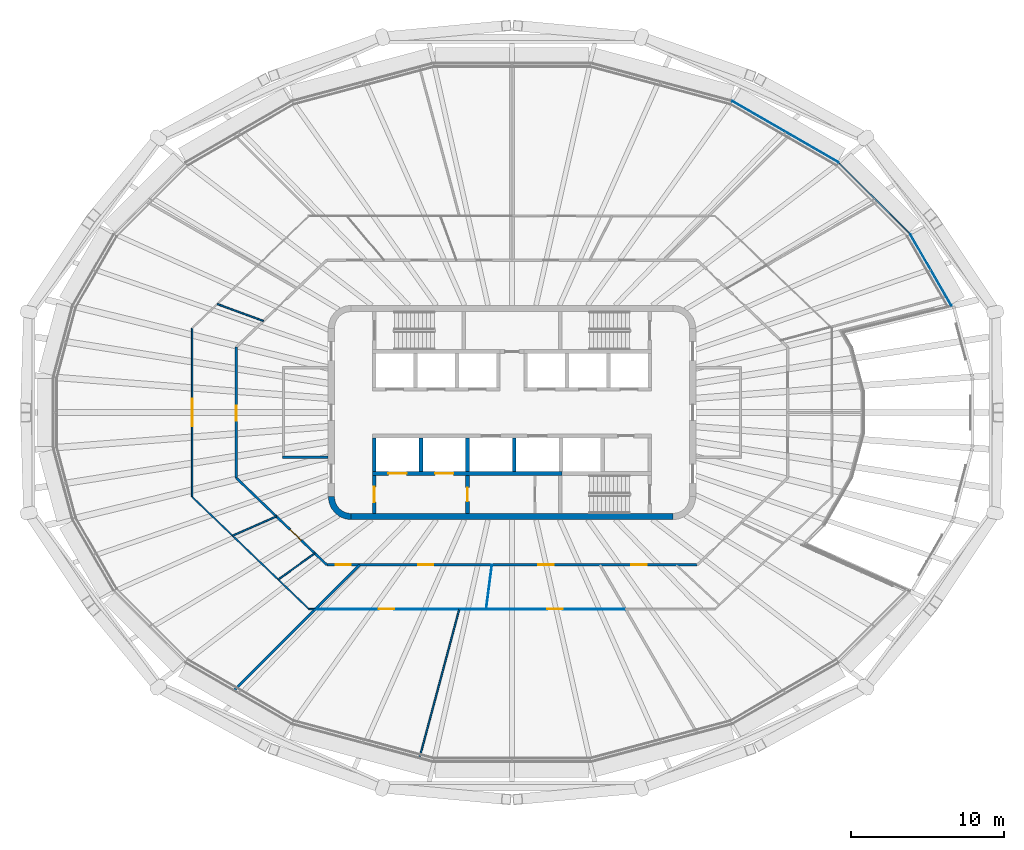
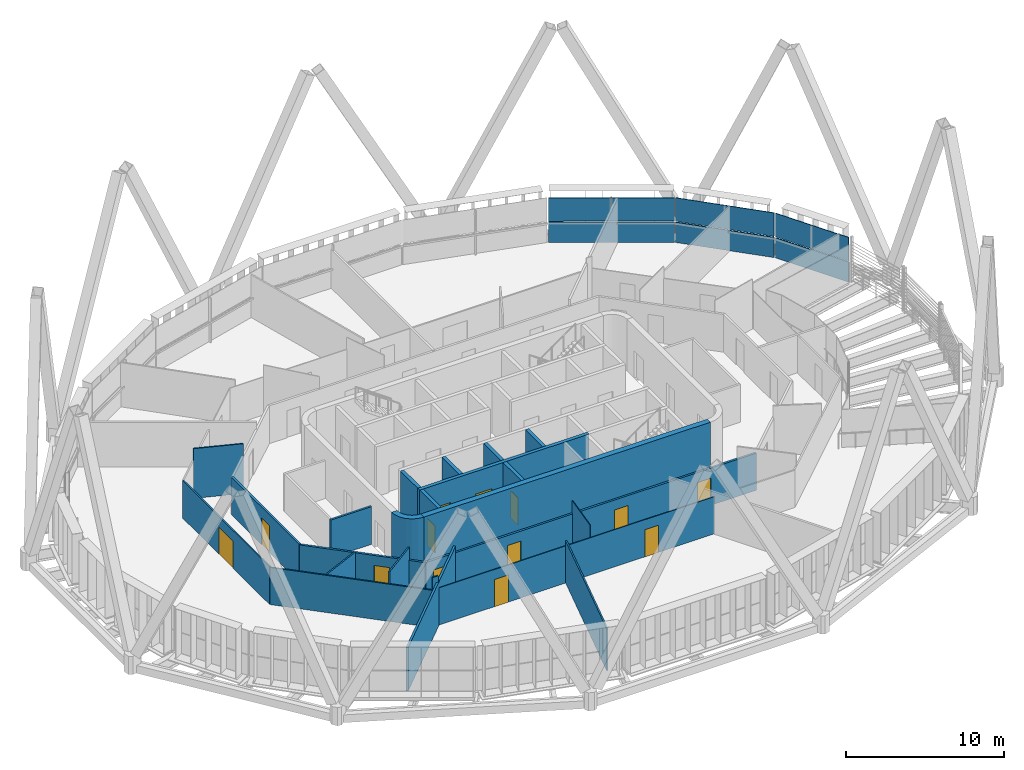
# One storey, part 10 of 20: 23 walls, 13 doors, 6 plates, 13 openings, 3 elements without a shape of their own.
"""IFC4 building model written with IfcOpenShell, lengths in metres."""

import ifcopenshell
import ifcopenshell.guid

model = None  # the IFC model being written
_history = None  # IfcOwnerHistory: only IFC2X3 demands one
_inside = {}  # id of a spatial element -> (the spatial element, [elements in it])
_under = {}  # id of a project, library or spatial element -> (it, [spatial elements below it])
_declared = {}  # id of a project -> (the project, [libraries it declares])
_typed = {}  # id of a type object -> (the type object, [elements of that type])
_made_of = {}  # id of a material, layer set ... -> (it, [elements and type objects made of it])


def new_model(schema):
    """Start an empty IFC model of exactly this schema.

    Asked for "IFC4X3", IfcOpenShell would pick the latest addendum, in which some entities
    have other attributes; the version numbers below select the first issue.
    IFC2X3 requires an IfcOwnerHistory on every rooted entity: one is made here for all.
    """
    global model, _history
    if schema == "IFC4X3":
        model = ifcopenshell.file(schema_version=(4, 3, 0, 0))
    else:
        model = ifcopenshell.file(schema=schema)
    _inside.clear()
    _under.clear()
    _declared.clear()
    _typed.clear()
    _made_of.clear()
    _history = None
    if model.schema == "IFC2X3":
        org = make("IfcOrganization", Name="unknown")
        user = make(
            "IfcPersonAndOrganization",
            ThePerson=make("IfcPerson", FamilyName="unknown"),
            TheOrganization=org,
        )
        app = make(
            "IfcApplication",
            ApplicationDeveloper=org,
            Version="unknown",
            ApplicationFullName="unknown",
            ApplicationIdentifier="unknown",
        )
        _history = make(
            "IfcOwnerHistory",
            OwningUser=user,
            OwningApplication=app,
            ChangeAction="ADDED",
            CreationDate=0,
        )
    return model


def make(cls, **values):
    """One entity of the class cls with the attributes given. An attribute that is None is left unset."""
    return model.create_entity(
        cls, **{name: value for name, value in values.items() if value is not None}
    )


def rooted(cls, **values):
    """An entity with a GlobalId (a new one), such as an element, a storey or a relation."""
    return make(cls, GlobalId=ifcopenshell.guid.new(), OwnerHistory=_history, **values)


def si_unit(unit_type, name, prefix=None):
    """IfcSIUnit, for example si_unit("LENGTHUNIT", "METRE", prefix="MILLI")."""
    return make("IfcSIUnit", UnitType=unit_type, Prefix=prefix, Name=name)


def assignment(units):
    """IfcUnitAssignment: the units of a project."""
    return None if units is None else make("IfcUnitAssignment", Units=units)


def point(xyz):
    """IfcCartesianPoint."""
    return None if xyz is None else make("IfcCartesianPoint", Coordinates=xyz)


def direction(xyz):
    """IfcDirection."""
    return None if xyz is None else make("IfcDirection", DirectionRatios=xyz)


def frame(location, z_axis=None, x_axis=None):
    """IfcAxis2Placement3D, a coordinate frame: its origin and axes. An axis left out is left unset."""
    return make(
        "IfcAxis2Placement3D",
        Location=point(location),
        Axis=direction(z_axis),
        RefDirection=direction(x_axis),
    )


def frame_2d(location, x_axis=None):
    """IfcAxis2Placement2D, a coordinate frame in the plane: its origin and x axis."""
    return make(
        "IfcAxis2Placement2D", Location=point(location), RefDirection=direction(x_axis)
    )


def origin():
    """The frame at (0, 0, 0) with its axes left unset."""
    return frame((0.0, 0.0, 0.0))


def place(relative_to, where):
    """IfcLocalPlacement: puts the frame where relative to a parent placement (None: the world)."""
    return make(
        "IfcLocalPlacement", PlacementRelTo=relative_to, RelativePlacement=where
    )


def context(
    kind, dimensions, precision=None, world=None, true_north=None, identifier=None
):
    """IfcGeometricRepresentationContext, for example the 3D "Model" context."""
    return make(
        "IfcGeometricRepresentationContext",
        ContextIdentifier=identifier,
        ContextType=kind,
        CoordinateSpaceDimension=dimensions,
        Precision=precision,
        WorldCoordinateSystem=world,
        TrueNorth=true_north,
    )


def subcontext(parent, identifier, kind, view, scale=None):
    """IfcGeometricRepresentationSubContext, for example "Body" below "Model"."""
    return make(
        "IfcGeometricRepresentationSubContext",
        ContextIdentifier=identifier,
        ContextType=kind,
        ParentContext=parent,
        TargetScale=scale,
        TargetView=view,
    )


def project(units=None, contexts=None):
    """IfcProject with its units and contexts."""
    return rooted(
        "IfcProject",
        Name="project",
        RepresentationContexts=contexts,
        UnitsInContext=assignment(units),
    )


def spatial(cls, under=None, at=None, **own):
    """A site, building, storey or space (cls), placed at a placement, below another one or the project."""
    s = rooted(cls, ObjectPlacement=at, **own)
    if under is not None:
        _under.setdefault(under.id(), (under, []))[1].append(s)
    return s


def polyline(points):
    """IfcPolyline through the points."""
    return make("IfcPolyline", Points=[point(p) for p in points])


def profile(cls, at=None, kind="AREA", **sizes):
    """A parametric profile (cls). Its sizes go by their IFC names, for example OverallWidth=200.0."""
    return make(cls, ProfileType=kind, Position=at, **sizes)


def rectangle(**sizes):
    """IfcRectangleProfileDef."""
    return profile("IfcRectangleProfileDef", **sizes)


def outline(outer, holes=None, kind="AREA"):
    """IfcArbitraryClosedProfileDef: a profile drawn as a closed curve; with holes, ...WithVoids."""
    if holes is None:
        return make("IfcArbitraryClosedProfileDef", ProfileType=kind, OuterCurve=outer)
    return make(
        "IfcArbitraryProfileDefWithVoids",
        ProfileType=kind,
        OuterCurve=outer,
        InnerCurves=holes,
    )


def extrude(swept, where, along, depth):
    """IfcExtrudedAreaSolid: the profile swept, set in the frame where, extruded along a direction by depth."""
    return make(
        "IfcExtrudedAreaSolid",
        SweptArea=swept,
        Position=where,
        ExtrudedDirection=direction(along),
        Depth=depth,
    )


def shape(context_of_items, identifier, shape_type, items):
    """IfcShapeRepresentation: the items that make up one representation, for example the "Body"."""
    return make(
        "IfcShapeRepresentation",
        ContextOfItems=context_of_items,
        RepresentationIdentifier=identifier,
        RepresentationType=shape_type,
        Items=items,
    )


def material(Name=None, Category=None):
    """IfcMaterial."""
    return make("IfcMaterial", Name=Name, Category=Category)


def layer(
    of_material, thickness, ventilated=None, Name=None, Category=None, Priority=None
):
    """IfcMaterialLayer: one layer of a wall or slab, of a material (None: an air gap)."""
    return make(
        "IfcMaterialLayer",
        Material=of_material,
        LayerThickness=thickness,
        IsVentilated=ventilated,
        Name=Name,
        Category=Category,
        Priority=Priority,
    )


def layer_set(layers, Name=None):
    """IfcMaterialLayerSet."""
    return make("IfcMaterialLayerSet", MaterialLayers=layers, LayerSetName=Name)


def made_of(thing, what):
    """Note that an element or type object is made of a material, layer set ...; save() writes the relation."""
    if what is not None:
        _made_of.setdefault(what.id(), (what, []))[1].append(thing)
    return thing


def type_object(cls, material=None, **own):
    """A type object (cls), such as IfcWallType, which elements share."""
    return made_of(rooted(cls, **own), material)


def element(
    cls,
    number,
    at=None,
    inside=None,
    cuts=None,
    type_object=None,
    material=None,
    context=None,
    identifier="Body",
    shape_type=None,
    held_by="IfcProductDefinitionShape",
    body=None,
    shapes=None,
    **own,
):
    """One element of the class cls, such as IfcWall. Its Tag is "e" and its number.

    at: its placement. inside: the storey or other place that contains it. cuts: it is an
    opening in that element (IfcRelVoidsElement). A single representation is given by context,
    identifier, shape_type and body (its items); several are given by shapes. held_by: the class
    of the entity that holds the representations. save() writes the other relations.
    """
    e = rooted(cls, Tag="e%d" % number, ObjectPlacement=at, **own)
    if body is not None:
        shapes = [shape(context, identifier, shape_type, body)]
    if shapes is not None:
        e.Representation = make(held_by, Representations=shapes)
    if inside is not None:
        _inside.setdefault(inside.id(), (inside, []))[1].append(e)
    if cuts is not None:
        rooted(
            "IfcRelVoidsElement", RelatingBuildingElement=cuts, RelatedOpeningElement=e
        )
    if type_object is not None:
        _typed.setdefault(type_object.id(), (type_object, []))[1].append(e)
    return made_of(e, material)


def fill(opening, filler):
    """IfcRelFillsElement: the door or window that sits in an opening."""
    return rooted(
        "IfcRelFillsElement",
        RelatingOpeningElement=opening,
        RelatedBuildingElement=filler,
    )


def aggregate(whole, parts):
    """IfcRelAggregates: a whole, such as a stair, and the parts it consists of."""
    return rooted("IfcRelAggregates", RelatingObject=whole, RelatedObjects=parts)


def save(model, path):
    """Write the relations noted so far, then the file.

    IfcRelAggregates (storeys below a building ...), IfcRelContainedInSpatialStructure (elements
    in a storey), IfcRelDefinesByType, IfcRelAssociatesMaterial and IfcRelDeclares: one each for
    every whole, place, type object, material and project.
    """
    for whole, parts in _under.values():
        aggregate(whole, parts)
    for where, things in _inside.values():
        rooted(
            "IfcRelContainedInSpatialStructure",
            RelatedElements=things,
            RelatingStructure=where,
        )
    for kind, things in _typed.values():
        rooted("IfcRelDefinesByType", RelatedObjects=things, RelatingType=kind)
    for what, things in _made_of.values():
        rooted("IfcRelAssociatesMaterial", RelatedObjects=things, RelatingMaterial=what)
    for by, libraries in _declared.values():
        rooted("IfcRelDeclares", RelatingContext=by, RelatedDefinitions=libraries)
    model.write(path)


model = new_model("IFC4")

# Units and contexts
model_context = context("Model", 3, precision=1e-05, world=origin(), true_north=direction((0.0, 1.0)))
body_context = subcontext(model_context, "Body", "Model", "MODEL_VIEW")
ifc_project = project(units=[si_unit("LENGTHUNIT", "METRE"), si_unit("AREAUNIT", "SQUARE_METRE"), si_unit("VOLUMEUNIT", "CUBIC_METRE"), si_unit("PLANEANGLEUNIT", "RADIAN"), si_unit("MASSUNIT", "GRAM", prefix="KILO")], contexts=[model_context])

# Site, building, storey
site_placement = place(None, origin())
site = spatial("IfcSite", under=ifc_project, at=site_placement, CompositionType="ELEMENT")
building_placement = place(site_placement, origin())
building = spatial("IfcBuilding", under=site, at=building_placement, Name="Sahrelin Media Tower", CompositionType="ELEMENT")
storey_placement = place(building_placement, frame((0.0, 0.0, 267.0)))
storey = spatial("IfcBuildingStorey", under=building, at=storey_placement, Name="L58", CompositionType="ELEMENT", Elevation=267.0)

# Curtain wall, plate
ifc_material_1 = material(Name="Champagne anodised aluminium 6063-T6", Category="aluminium")
ifc_layer_1 = layer(ifc_material_1, 0.14990234375)
ifc_layer_set_1 = layer_set([ifc_layer_1], Name="Tower ribbon curtain wall")
curtain_wall_type = type_object("IfcCurtainWallType", Name="Tower ribbon curtain wall", PredefinedType="NOTDEFINED", material=ifc_layer_set_1)
curtain_wall_1_placement = place(storey_placement, frame((27.357666015625, 9.3173828125, 0.0), z_axis=(0.0, 0.0, 1.0), x_axis=(1.0, 0.0, 0.0)))
curtain_wall_1 = element("IfcCurtainWall", 1, at=curtain_wall_1_placement, inside=storey, type_object=curtain_wall_type, Name="L58:CW:L58-02", PredefinedType="NOTDEFINED")
ifc_material_2 = material(Name="Clear low-iron glazing", Category="glass")
ifc_layer_2 = layer(ifc_material_2, 0.048095703125)
ifc_layer_set_2 = layer_set([ifc_layer_2], Name="Glazing panel 48 mm CW1C")
plate_type_1 = type_object("IfcPlateType", Name="Glazing panel 48 mm CW1C", PredefinedType="CURTAIN_PANEL", material=ifc_layer_set_2)
plate_1_placement = place(storey_placement, frame((28.712158203125, 7.01123046875, 1.6298828125), z_axis=(0.866006956136, 0.500031950903, 0.0), x_axis=(-0.500031950903, 0.866006956136, 0.0)))
plate_1 = element("IfcPlate", 2, at=plate_1_placement, type_object=plate_type_1, Name="L58:CWP2:L58-02", PredefinedType="CURTAIN_PANEL", context=body_context, shape_type="SweptSolid", body=[
    extrude(outline(polyline([(0.0, 0.0), (5.348876953125, 0.0), (5.348876953125, 1.818603515625), (0.0, 1.818603515625), (0.0, 0.0)])), origin(), (0.0, 0.0, -1.0), 0.048095703125),
])

curtain_wall_2_placement = place(storey_placement, frame((23.6767578125, 13.9951171875, 0.0), z_axis=(0.0, 0.0, 1.0), x_axis=(1.0, 0.0, 0.0)))
curtain_wall_2 = element("IfcCurtainWall", 3, at=curtain_wall_2_placement, inside=storey, type_object=curtain_wall_type, Name="L58:CW:L58-03", PredefinedType="NOTDEFINED")
plate_2_placement = place(storey_placement, frame((25.97412109375, 11.72607421875, 1.6298828125), z_axis=(0.707106781187, 0.707106781187, 0.0), x_axis=(-0.707106781187, 0.707106781187, 0.0)))
plate_2 = element("IfcPlate", 4, at=plate_2_placement, type_object=plate_type_1, Name="L58:CWP2:L58-03", PredefinedType="CURTAIN_PANEL", context=body_context, shape_type="SweptSolid", body=[
    extrude(outline(polyline([(0.0, 0.0), (6.457763671875, 0.0), (6.457763671875, 1.818603515625), (0.0, 1.818603515625), (0.0, 0.0)])), origin(), (0.0, 0.0, -1.0), 0.048095703125),
])

curtain_wall_3_placement = place(storey_placement, frame((17.86083984375, 18.3330078125, 0.0), z_axis=(0.0, 0.0, 1.0), x_axis=(1.0, 0.0, 0.0)))
curtain_wall_3 = element("IfcCurtainWall", 5, at=curtain_wall_3_placement, inside=storey, type_object=curtain_wall_type, Name="L58:CW:L58-04", PredefinedType="NOTDEFINED")
plate_3_placement = place(storey_placement, frame((21.324951171875, 16.356201171875, 1.6298828125), z_axis=(0.499983857782, 0.866034723298, 0.0), x_axis=(-0.866034723298, 0.499983857782, 0.0)))
plate_3 = element("IfcPlate", 6, at=plate_3_placement, type_object=plate_type_1, Name="L58:CWP2:L58-04", PredefinedType="CURTAIN_PANEL", context=body_context, shape_type="SweptSolid", body=[
    extrude(outline(polyline([(0.0, 0.0), (7.976806640625, 0.0), (7.976806640625, 1.818603515625), (0.0, 1.818603515625), (0.0, 0.0)])), origin(), (0.0, 0.0, -1.0), 0.048095703125),
])

# Plate
ifc_material_3 = material(Name="Insulated spandrel panel")
ifc_layer_3 = layer(ifc_material_3, 0.06005859375)
ifc_layer_set_3 = layer_set([ifc_layer_3], Name="Spandrel panel 60 mm CW1")
plate_type_2 = type_object("IfcPlateType", Name="Spandrel panel 60 mm CW1", PredefinedType="SHEET", material=ifc_layer_set_3)
plate_4_placement = place(storey_placement, frame((28.712158203125, 7.01123046875, 0.0), z_axis=(0.866006956136, 0.500031950903, 0.0), x_axis=(-0.500031950903, 0.866006956136, 0.0)))
plate_4 = element("IfcPlate", 7, at=plate_4_placement, type_object=plate_type_2, Name="L58:CWP1:L58-02", PredefinedType="SHEET", context=body_context, shape_type="SweptSolid", body=[
    extrude(outline(polyline([(0.0, 0.0), (5.348876953125, 0.0), (5.348876953125, 1.570068359375), (0.0, 1.570068359375), (0.0, 0.0)])), origin(), (0.0, 0.0, -1.0), 0.06005859375),
])

aggregate(curtain_wall_1, [plate_4, plate_1])

plate_5_placement = place(storey_placement, frame((25.97412109375, 11.72607421875, 0.0), z_axis=(0.707106781187, 0.707106781187, 0.0), x_axis=(-0.707106781187, 0.707106781187, 0.0)))
plate_5 = element("IfcPlate", 8, at=plate_5_placement, type_object=plate_type_2, Name="L58:CWP1:L58-03", PredefinedType="SHEET", context=body_context, shape_type="SweptSolid", body=[
    extrude(outline(polyline([(0.0, 0.0), (6.457763671875, 0.0), (6.457763671875, 1.570068359375), (0.0, 1.570068359375), (0.0, 0.0)])), origin(), (0.0, 0.0, -1.0), 0.06005859375),
])

aggregate(curtain_wall_2, [plate_5, plate_2])

plate_6_placement = place(storey_placement, frame((21.324951171875, 16.356201171875, 0.0), z_axis=(0.499983857782, 0.866034723298, 0.0), x_axis=(-0.866034723298, 0.499983857782, 0.0)))
plate_6 = element("IfcPlate", 9, at=plate_6_placement, type_object=plate_type_2, Name="L58:CWP1:L58-04", PredefinedType="SHEET", context=body_context, shape_type="SweptSolid", body=[
    extrude(outline(polyline([(0.0, 0.0), (7.976806640625, 0.0), (7.976806640625, 1.570068359375), (0.0, 1.570068359375), (0.0, 0.0)])), origin(), (0.0, 0.0, -1.0), 0.06005859375),
])

aggregate(curtain_wall_3, [plate_6, plate_3])

# Walls
ifc_material_4 = material(Name="Concrete C60/75", Category="concrete")
ifc_layer_4 = layer(ifc_material_4, 0.39990234375)
ifc_layer_set_4 = layer_set([ifc_layer_4], Name="Core wall 400")
wall_type_1 = type_object("IfcWallType", Name="Core wall 400", PredefinedType="SHEAR", material=ifc_layer_set_4)
wall_1_placement = place(storey_placement, frame((-10.5, -6.800048828125, 0.0), z_axis=(0.0, 0.0, 1.0), x_axis=(1.0, 0.0, 0.0)))
element("IfcWall", 10, at=wall_1_placement, inside=storey, type_object=wall_type_1, Name="Core wall S L58", PredefinedType="SHEAR", context=body_context, shape_type="SweptSolid", body=[
    extrude(rectangle(XDim=21.0, YDim=0.39990234375, at=frame_2d((10.5, 0.0))), origin(), (0.0, 0.0, 1.0), 4.0),
])
wall_2_placement = place(storey_placement, origin())
element("IfcWall", 11, at=wall_2_placement, inside=storey, type_object=wall_type_1, Name="Core wall corner SW L58", PredefinedType="SHEAR", context=body_context, shape_type="SweptSolid", body=[
    extrude(outline(polyline([(-10.5, -7.0), (-10.5, -6.596435546875), (-10.78369140625, -6.55908203125), (-11.04833984375, -6.44970703125), (-11.275390625, -6.275390625), (-11.44970703125, -6.04833984375), (-11.55908203125, -5.78369140625), (-11.596435546875, -5.5), (-12.0, -5.5), (-11.948974609375, -5.88818359375), (-11.799072265625, -6.25), (-11.560791015625, -6.560791015625), (-11.25, -6.799072265625), (-10.88818359375, -6.948974609375), (-10.5, -7.0)])), origin(), (0.0, 0.0, 1.0), 4.0),
])
ifc_material_5 = material(Name="Fire-rated gypsum board partition")
ifc_layer_5 = layer(ifc_material_5, 0.14990234375)
ifc_layer_set_5 = layer_set([ifc_layer_5], Name="Fire-rated partition 150")
wall_type_2 = type_object("IfcWallType", Name="Fire-rated partition 150", PredefinedType="PARTITIONING", material=ifc_layer_set_5)
wall_3_placement = place(storey_placement, frame((-15.0, -2.925048828125, 0.0), z_axis=(0.0, 0.0, 1.0), x_axis=(1.0, 0.0, 0.0)))
element("IfcWall", 12, at=wall_3_placement, inside=storey, type_object=wall_type_2, Name="Core room fire partition", PredefinedType="PARTITIONING", context=body_context, shape_type="SweptSolid", body=[
    extrude(rectangle(XDim=3.0, YDim=0.14990234375, at=frame_2d((1.5, 0.0))), origin(), (0.0, 0.0, 1.0), 2.918212890625),
])

# Wall, opening, door
wall_4_placement = place(storey_placement, frame((-18.0, -4.278076171875, 0.0), z_axis=(0.0, 0.0, 1.0), x_axis=(0.721290181137, -0.692633001376, 0.0)))
wall_4 = element("IfcWall", 13, at=wall_4_placement, inside=storey, type_object=wall_type_2, Name="Wall", PredefinedType="PARTITIONING", context=body_context, shape_type="SweptSolid", body=[
    extrude(rectangle(XDim=8.18701171875, YDim=0.14990234375, at=frame_2d((4.093505859375, 0.0))), origin(), (0.0, 0.0, 1.0), 2.876953125),
])
opening_1_placement = place(wall_4_placement, frame((4.8662109375, 0.0, 0.0)))
opening_1 = element("IfcOpeningElement", 14, at=opening_1_placement, cuts=wall_4, Name="Opening L58-D23", PredefinedType="OPENING", context=body_context, shape_type="SweptSolid", body=[
    extrude(rectangle(XDim=1.0, YDim=2.10009765625, at=frame_2d((0.5, 1.050048828125))), frame((0.0, 0.074951171875, 0.0), z_axis=(0.0, -1.0, 0.0), x_axis=(1.0, 0.0, 0.0)), (0.0, 0.0, 1.0), 0.14990234375),
])
ifc_material_6 = material(Name="Steel fire door leaf", Category="steel")
door_type_1 = type_object("IfcDoorType", Name="Fire door 1000 x 2100 EI 60", OperationType="NOTDEFINED", PredefinedType="DOOR", material=ifc_material_6)
door_1_placement = place(opening_1_placement, origin())
door_1 = element("IfcDoor", 15, at=door_1_placement, inside=storey, type_object=door_type_1, Name="Fire door", OperationType="SINGLE_SWING_RIGHT", OverallHeight=2.10009765625, OverallWidth=1.0, PredefinedType="DOOR", context=body_context, shape_type="SweptSolid", body=[
    extrude(rectangle(XDim=1.0, YDim=2.10009765625, at=frame_2d((0.5, 1.050048828125))), frame((0.0, 0.02490234375, 0.0), z_axis=(0.0, -1.0, 0.0), x_axis=(1.0, 0.0, 0.0)), (0.0, 0.0, 1.0), 0.050048828125),
])
fill(opening_1, door_1)

# Wall, openings, doors
wall_5_placement = place(storey_placement, frame((-12.094970703125, -9.948974609375, 0.0), z_axis=(0.0, 0.0, 1.0), x_axis=(1.0, 0.0, 0.0)))
wall_5 = element("IfcWall", 16, at=wall_5_placement, inside=storey, type_object=wall_type_2, Name="Wall", PredefinedType="PARTITIONING", context=body_context, shape_type="SweptSolid", body=[
    extrude(rectangle(XDim=24.18994140625, YDim=0.14990234375, at=frame_2d((12.094970703125, 0.0))), origin(), (0.0, 0.0, 1.0), 2.876953125),
])
opening_2_placement = place(wall_5_placement, frame((0.572998046875, 0.0, 0.0)))
opening_2 = element("IfcOpeningElement", 17, at=opening_2_placement, cuts=wall_5, Name="Opening L58-D24", PredefinedType="OPENING", context=body_context, shape_type="SweptSolid", body=[
    extrude(rectangle(XDim=1.0, YDim=2.10009765625, at=frame_2d((0.5, 1.050048828125))), frame((0.0, 0.074951171875, 0.0), z_axis=(0.0, -1.0, 0.0), x_axis=(1.0, 0.0, 0.0)), (0.0, 0.0, 1.0), 0.14990234375),
])
opening_3_placement = place(wall_5_placement, frame((5.965576171875, 0.0, 0.0)))
opening_3 = element("IfcOpeningElement", 18, at=opening_3_placement, cuts=wall_5, Name="Opening L58-D26", PredefinedType="OPENING", context=body_context, shape_type="SweptSolid", body=[
    extrude(rectangle(XDim=1.0, YDim=2.10009765625, at=frame_2d((0.5, 1.050048828125))), frame((0.0, 0.074951171875, 0.0), z_axis=(0.0, -1.0, 0.0), x_axis=(1.0, 0.0, 0.0)), (0.0, 0.0, 1.0), 0.14990234375),
])
opening_4_placement = place(wall_5_placement, frame((13.81201171875, 0.0, 0.0)))
opening_4 = element("IfcOpeningElement", 19, at=opening_4_placement, cuts=wall_5, Name="Opening L58-D27", PredefinedType="OPENING", context=body_context, shape_type="SweptSolid", body=[
    extrude(rectangle(XDim=1.0, YDim=2.10009765625, at=frame_2d((0.5, 1.050048828125))), frame((0.0, 0.074951171875, 0.0), z_axis=(0.0, -1.0, 0.0), x_axis=(1.0, 0.0, 0.0)), (0.0, 0.0, 1.0), 0.14990234375),
])
opening_5_placement = place(wall_5_placement, frame((19.87939453125, 0.0, 0.0)))
opening_5 = element("IfcOpeningElement", 20, at=opening_5_placement, cuts=wall_5, Name="Opening L58-D30", PredefinedType="OPENING", context=body_context, shape_type="SweptSolid", body=[
    extrude(rectangle(XDim=1.0, YDim=2.10009765625, at=frame_2d((0.5, 1.050048828125))), frame((0.0, 0.074951171875, 0.0), z_axis=(0.0, -1.0, 0.0), x_axis=(1.0, 0.0, 0.0)), (0.0, 0.0, 1.0), 0.14990234375),
])
door_2_placement = place(opening_2_placement, origin())
door_2 = element("IfcDoor", 21, at=door_2_placement, inside=storey, type_object=door_type_1, Name="Fire door", OperationType="SINGLE_SWING_LEFT", OverallHeight=2.10009765625, OverallWidth=1.0, PredefinedType="DOOR", context=body_context, shape_type="SweptSolid", body=[
    extrude(rectangle(XDim=1.0, YDim=2.10009765625, at=frame_2d((0.5, 1.050048828125))), frame((0.0, 0.02490234375, 0.0), z_axis=(0.0, -1.0, 0.0), x_axis=(1.0, 0.0, 0.0)), (0.0, 0.0, 1.0), 0.050048828125),
])
fill(opening_2, door_2)
door_3_placement = place(opening_3_placement, origin())
door_3 = element("IfcDoor", 22, at=door_3_placement, inside=storey, type_object=door_type_1, Name="Fire door", OperationType="SINGLE_SWING_LEFT", OverallHeight=2.10009765625, OverallWidth=1.0, PredefinedType="DOOR", context=body_context, shape_type="SweptSolid", body=[
    extrude(rectangle(XDim=1.0, YDim=2.10009765625, at=frame_2d((0.5, 1.050048828125))), frame((0.0, 0.02490234375, 0.0), z_axis=(0.0, -1.0, 0.0), x_axis=(1.0, 0.0, 0.0)), (0.0, 0.0, 1.0), 0.050048828125),
])
fill(opening_3, door_3)
door_4_placement = place(opening_4_placement, origin())
door_4 = element("IfcDoor", 23, at=door_4_placement, inside=storey, type_object=door_type_1, Name="Fire door", OperationType="SINGLE_SWING_LEFT", OverallHeight=2.10009765625, OverallWidth=1.0, PredefinedType="DOOR", context=body_context, shape_type="SweptSolid", body=[
    extrude(rectangle(XDim=1.0, YDim=2.10009765625, at=frame_2d((0.5, 1.050048828125))), frame((0.0, 0.02490234375, 0.0), z_axis=(0.0, -1.0, 0.0), x_axis=(1.0, 0.0, 0.0)), (0.0, 0.0, 1.0), 0.050048828125),
])
fill(opening_4, door_4)
door_5_placement = place(opening_5_placement, origin())
door_5 = element("IfcDoor", 24, at=door_5_placement, inside=storey, type_object=door_type_1, Name="Fire door", OperationType="SINGLE_SWING_RIGHT", OverallHeight=2.10009765625, OverallWidth=1.0, PredefinedType="DOOR", context=body_context, shape_type="SweptSolid", body=[
    extrude(rectangle(XDim=1.0, YDim=2.10009765625, at=frame_2d((0.5, 1.050048828125))), frame((0.0, 0.02490234375, 0.0), z_axis=(0.0, -1.0, 0.0), x_axis=(1.0, 0.0, 0.0)), (0.0, 0.0, 1.0), 0.050048828125),
])
fill(opening_5, door_5)

# Wall
wall_6_placement = place(storey_placement, frame((-18.159912109375, -18.159912109375, 0.0), z_axis=(0.0, 0.0, 1.0), x_axis=(0.707106781187, 0.707106781187, 0.0)))
element("IfcWall", 25, at=wall_6_placement, inside=storey, type_object=wall_type_2, Name="Wall", PredefinedType="PARTITIONING", context=body_context, shape_type="SweptSolid", body=[
    extrude(rectangle(XDim=11.612060546875, YDim=0.14990234375, at=frame_2d((5.80615234375, 0.0))), origin(), (0.0, 0.0, 1.0), 3.37353515625),
])

# Wall, opening, door
wall_7_placement = place(storey_placement, frame((-18.0, -4.278076171875, 0.0), z_axis=(0.0, 0.0, 1.0), x_axis=(0.0, 1.0, 0.0)))
wall_7 = element("IfcWall", 26, at=wall_7_placement, inside=storey, type_object=wall_type_2, Name="Wall", PredefinedType="PARTITIONING", context=body_context, shape_type="SweptSolid", body=[
    extrude(rectangle(XDim=8.55615234375, YDim=0.14990234375, at=frame_2d((4.278076171875, 0.0))), origin(), (0.0, 0.0, 1.0), 2.918212890625),
])
opening_6_placement = place(wall_7_placement, frame((3.7275390625, 0.0, 0.0)))
opening_6 = element("IfcOpeningElement", 27, at=opening_6_placement, cuts=wall_7, Name="Opening L58-D22", PredefinedType="OPENING", context=body_context, shape_type="SweptSolid", body=[
    extrude(rectangle(XDim=1.0, YDim=2.10009765625, at=frame_2d((0.5, 1.050048828125))), frame((0.0, 0.074951171875, 0.0), z_axis=(0.0, -1.0, 0.0), x_axis=(1.0, 0.0, 0.0)), (0.0, 0.0, 1.0), 0.14990234375),
])
door_6_placement = place(opening_6_placement, origin())
door_6 = element("IfcDoor", 28, at=door_6_placement, inside=storey, type_object=door_type_1, Name="Fire door", OperationType="SINGLE_SWING_RIGHT", OverallHeight=2.10009765625, OverallWidth=1.0, PredefinedType="DOOR", context=body_context, shape_type="SweptSolid", body=[
    extrude(rectangle(XDim=1.0, YDim=2.10009765625, at=frame_2d((0.5, 1.050048828125))), frame((0.0, 0.02490234375, 0.0), z_axis=(0.0, -1.0, 0.0), x_axis=(1.0, 0.0, 0.0)), (0.0, 0.0, 1.0), 0.050048828125),
])
fill(opening_6, door_6)

ifc_layer_6 = layer(ifc_material_5, 0.25)
ifc_layer_set_6 = layer_set([ifc_layer_6], Name="Firefighting lobby wall 250")
wall_type_3 = type_object("IfcWallType", Name="Firefighting lobby wall 250", PredefinedType="PARTITIONING", material=ifc_layer_set_6)
wall_8_placement = place(storey_placement, frame((-9.0, -6.60009765625, 0.0), z_axis=(0.0, 0.0, 1.0), x_axis=(0.0, 1.0, 0.0)))
wall_8 = element("IfcWall", 29, at=wall_8_placement, inside=storey, type_object=wall_type_3, Name="Core wall", PredefinedType="PARTITIONING", context=body_context, shape_type="SweptSolid", body=[
    extrude(rectangle(XDim=2.5, YDim=0.25, at=frame_2d((1.25, 0.0))), origin(), (0.0, 0.0, 1.0), 3.85009765625),
])
opening_7_placement = place(wall_8_placement, frame((0.75, 0.0, 0.0)))
opening_7 = element("IfcOpeningElement", 30, at=opening_7_placement, cuts=wall_8, Name="Opening L58-D04", PredefinedType="OPENING", context=body_context, shape_type="SweptSolid", body=[
    extrude(rectangle(XDim=1.0, YDim=2.10009765625, at=frame_2d((0.5, 1.050048828125))), frame((0.0, 0.125, 0.0), z_axis=(0.0, -1.0, 0.0), x_axis=(1.0, 0.0, 0.0)), (0.0, 0.0, 1.0), 0.25),
])
door_type_2 = type_object("IfcDoorType", Name="Firefighting lobby door 1000 x 2100 EI 120", OperationType="NOTDEFINED", PredefinedType="DOOR", material=ifc_material_6)
door_7_placement = place(opening_7_placement, origin())
door_7 = element("IfcDoor", 31, at=door_7_placement, inside=storey, type_object=door_type_2, Name="Firefighting lobby door", OperationType="SINGLE_SWING_LEFT", OverallHeight=2.10009765625, OverallWidth=1.0, PredefinedType="DOOR", context=body_context, shape_type="SweptSolid", body=[
    extrude(rectangle(XDim=1.0, YDim=2.10009765625, at=frame_2d((0.5, 1.050048828125))), frame((0.0, 0.02490234375, 0.0), z_axis=(0.0, -1.0, 0.0), x_axis=(1.0, 0.0, 0.0)), (0.0, 0.0, 1.0), 0.050048828125),
])
fill(opening_7, door_7)

wall_9_placement = place(storey_placement, frame((-2.89990234375, -6.60009765625, 0.0), z_axis=(0.0, 0.0, 1.0), x_axis=(0.0, 1.0, 0.0)))
wall_9 = element("IfcWall", 32, at=wall_9_placement, inside=storey, type_object=wall_type_3, Name="Core wall", PredefinedType="PARTITIONING", context=body_context, shape_type="SweptSolid", body=[
    extrude(rectangle(XDim=2.5, YDim=0.25, at=frame_2d((1.25, 0.0))), origin(), (0.0, 0.0, 1.0), 3.85009765625),
])
opening_8_placement = place(wall_9_placement, frame((0.800048828125, 0.0, 0.0)))
opening_8 = element("IfcOpeningElement", 33, at=opening_8_placement, cuts=wall_9, Name="Opening L58-D05", PredefinedType="OPENING", context=body_context, shape_type="SweptSolid", body=[
    extrude(rectangle(XDim=0.89990234375, YDim=2.10009765625, at=frame_2d((0.449951171875, 1.050048828125))), frame((0.0, 0.125, 0.0), z_axis=(0.0, -1.0, 0.0), x_axis=(1.0, 0.0, 0.0)), (0.0, 0.0, 1.0), 0.25),
])
door_type_3 = type_object("IfcDoorType", Name="Firefighting lobby door 900 x 2100 EI 120", OperationType="NOTDEFINED", PredefinedType="DOOR", material=ifc_material_6)
door_8_placement = place(opening_8_placement, origin())
door_8 = element("IfcDoor", 34, at=door_8_placement, inside=storey, type_object=door_type_3, Name="Riser door", OperationType="SINGLE_SWING_RIGHT", OverallHeight=2.10009765625, OverallWidth=0.89990234375, PredefinedType="DOOR", context=body_context, shape_type="SweptSolid", body=[
    extrude(rectangle(XDim=0.89990234375, YDim=2.10009765625, at=frame_2d((0.449951171875, 1.050048828125))), frame((0.0, 0.02490234375, 0.0), z_axis=(0.0, -1.0, 0.0), x_axis=(1.0, 0.0, 0.0)), (0.0, 0.0, 1.0), 0.050048828125),
])
fill(opening_8, door_8)

# Wall, openings, doors
ifc_material_7 = material(Name="Clear glass", Category="glass")
ifc_layer_7 = layer(ifc_material_7, 0.050048828125)
ifc_layer_set_7 = layer_set([ifc_layer_7], Name="Glazed partition 50")
wall_type_4 = type_object("IfcWallType", Name="Glazed partition 50", PredefinedType="PARTITIONING", material=ifc_layer_set_7)
wall_10_placement = place(storey_placement, frame((-12.839111328125, -12.839111328125, 0.0), z_axis=(0.0, 0.0, 1.0), x_axis=(1.0, 0.0, 0.0)))
wall_10 = element("IfcWall", 35, at=wall_10_placement, inside=storey, type_object=wall_type_4, Name="Wall", PredefinedType="PARTITIONING", context=body_context, shape_type="SweptSolid", body=[
    extrude(rectangle(XDim=20.251220703125, YDim=0.050048828125, at=frame_2d((10.12548828125, 0.0))), origin(), (0.0, 0.0, 1.0), 2.876953125),
])
opening_9_placement = place(wall_10_placement, frame((4.148681640625, 0.0, 0.0)))
opening_9 = element("IfcOpeningElement", 36, at=opening_9_placement, cuts=wall_10, Name="Opening L58-D28", PredefinedType="OPENING", context=body_context, shape_type="SweptSolid", body=[
    extrude(rectangle(XDim=1.0, YDim=2.10009765625, at=frame_2d((0.5, 1.050048828125))), frame((0.0, 0.02490234375, 0.0), z_axis=(0.0, -1.0, 0.0), x_axis=(1.0, 0.0, 0.0)), (0.0, 0.0, 1.0), 0.050048828125),
])
opening_10_placement = place(wall_10_placement, frame((15.14990234375, 0.0, 0.0)))
opening_10 = element("IfcOpeningElement", 37, at=opening_10_placement, cuts=wall_10, Name="Opening L58-D29", PredefinedType="OPENING", context=body_context, shape_type="SweptSolid", body=[
    extrude(rectangle(XDim=1.0, YDim=2.10009765625, at=frame_2d((0.5, 1.050048828125))), frame((0.0, 0.02490234375, 0.0), z_axis=(0.0, -1.0, 0.0), x_axis=(1.0, 0.0, 0.0)), (0.0, 0.0, 1.0), 0.050048828125),
])
door_type_4 = type_object("IfcDoorType", Name="Glazed door 1000 x 2100", OperationType="NOTDEFINED", PredefinedType="DOOR", material=ifc_material_7)
door_9_placement = place(opening_9_placement, origin())
door_9 = element("IfcDoor", 38, at=door_9_placement, inside=storey, type_object=door_type_4, Name="Glazed door", OperationType="SINGLE_SWING_LEFT", OverallHeight=2.10009765625, OverallWidth=1.0, PredefinedType="DOOR", context=body_context, shape_type="SweptSolid", body=[
    extrude(rectangle(XDim=1.0, YDim=2.10009765625, at=frame_2d((0.5, 1.050048828125))), frame((0.0, 0.02490234375, 0.0), z_axis=(0.0, -1.0, 0.0), x_axis=(1.0, 0.0, 0.0)), (0.0, 0.0, 1.0), 0.049560546875),
])
fill(opening_9, door_9)
door_10_placement = place(opening_10_placement, origin())
door_10 = element("IfcDoor", 39, at=door_10_placement, inside=storey, type_object=door_type_4, Name="Glazed door", OperationType="SINGLE_SWING_LEFT", OverallHeight=2.10009765625, OverallWidth=1.0, PredefinedType="DOOR", context=body_context, shape_type="SweptSolid", body=[
    extrude(rectangle(XDim=1.0, YDim=2.10009765625, at=frame_2d((0.5, 1.050048828125))), frame((0.0, 0.02490234375, 0.0), z_axis=(0.0, -1.0, 0.0), x_axis=(1.0, 0.0, 0.0)), (0.0, 0.0, 1.0), 0.049560546875),
])
fill(opening_10, door_10)

# Wall
wall_11_placement = place(storey_placement, frame((-1.68994140625, -12.839111328125, 0.0), z_axis=(0.0, 0.0, 1.0), x_axis=(0.130320186763, 0.991471960734, 0.0)))
element("IfcWall", 40, at=wall_11_placement, inside=storey, type_object=wall_type_4, Name="Wall", PredefinedType="PARTITIONING", context=body_context, shape_type="SweptSolid", body=[
    extrude(rectangle(XDim=2.9150390625, YDim=0.050048828125, at=frame_2d((1.45751953125, 0.0))), origin(), (0.0, 0.0, 1.0), 3.85009765625),
])

# Wall, openings, doors
ifc_layer_8 = layer(ifc_material_4, 0.25)
ifc_layer_set_8 = layer_set([ifc_layer_8], Name="Lift shaft wall 250")
wall_type_5 = type_object("IfcWallType", Name="Lift shaft wall 250", PredefinedType="SOLIDWALL", material=ifc_layer_set_8)
wall_12_placement = place(storey_placement, frame((-9.125, -3.97509765625, 0.0), z_axis=(0.0, 0.0, 1.0), x_axis=(1.0, 0.0, 0.0)))
wall_12 = element("IfcWall", 41, at=wall_12_placement, inside=storey, type_object=wall_type_5, Name="Lift shaft wall", PredefinedType="SOLIDWALL", context=body_context, shape_type="SweptSolid", body=[
    extrude(rectangle(XDim=12.39990234375, YDim=0.25, at=frame_2d((6.199951171875, 0.0))), origin(), (0.0, 0.0, 1.0), 3.85009765625),
])
opening_11_placement = place(wall_12_placement, frame((1.050048828125, 0.0, 0.0)))
opening_11 = element("IfcOpeningElement", 42, at=opening_11_placement, cuts=wall_12, Name="Opening L58-LD-FF1", PredefinedType="OPENING", context=body_context, shape_type="SweptSolid", body=[
    extrude(rectangle(XDim=1.199951171875, YDim=2.10009765625, at=frame_2d((0.60009765625, 1.050048828125))), frame((0.0, 0.125, 0.0), z_axis=(0.0, -1.0, 0.0), x_axis=(1.0, 0.0, 0.0)), (0.0, 0.0, 1.0), 0.25),
])
opening_12_placement = place(wall_12_placement, frame((4.10009765625, 0.0, 0.0)))
opening_12 = element("IfcOpeningElement", 43, at=opening_12_placement, cuts=wall_12, Name="Opening L58-LD-FF2", PredefinedType="OPENING", context=body_context, shape_type="SweptSolid", body=[
    extrude(rectangle(XDim=1.199951171875, YDim=2.10009765625, at=frame_2d((0.60009765625, 1.050048828125))), frame((0.0, 0.125, 0.0), z_axis=(0.0, -1.0, 0.0), x_axis=(1.0, 0.0, 0.0)), (0.0, 0.0, 1.0), 0.25),
])
ifc_material_8 = material(Name="Stainless steel", Category="steel")
door_type_5 = type_object("IfcDoorType", Name="Lift landing door 1200 x 2100 EI 120", OperationType="DOUBLE_DOOR_SLIDING", PredefinedType="DOOR", material=ifc_material_8)
door_11_placement = place(opening_11_placement, origin())
door_11 = element("IfcDoor", 44, at=door_11_placement, inside=storey, type_object=door_type_5, Name="Lift landing door FF1", OperationType="DOUBLE_DOOR_SLIDING", OverallHeight=2.10009765625, OverallWidth=1.199951171875, PredefinedType="DOOR", context=body_context, shape_type="SweptSolid", body=[
    extrude(rectangle(XDim=1.199951171875, YDim=2.10009765625, at=frame_2d((0.60009765625, 1.050048828125))), frame((0.0, 0.02490234375, 0.0), z_axis=(0.0, -1.0, 0.0), x_axis=(1.0, 0.0, 0.0)), (0.0, 0.0, 1.0), 0.050048828125),
])
fill(opening_11, door_11)
door_12_placement = place(opening_12_placement, origin())
door_12 = element("IfcDoor", 45, at=door_12_placement, inside=storey, type_object=door_type_5, Name="Lift landing door FF2", OperationType="DOUBLE_DOOR_SLIDING", OverallHeight=2.10009765625, OverallWidth=1.199951171875, PredefinedType="DOOR", context=body_context, shape_type="SweptSolid", body=[
    extrude(rectangle(XDim=1.199951171875, YDim=2.10009765625, at=frame_2d((0.60009765625, 1.050048828125))), frame((0.0, 0.02490234375, 0.0), z_axis=(0.0, -1.0, 0.0), x_axis=(1.0, 0.0, 0.0)), (0.0, 0.0, 1.0), 0.050048828125),
])
fill(opening_12, door_12)

# Walls
for number, where, z_axis, x_axis, name in (
    (46, (-9.0, -3.85009765625, 0.0), (0.0, 0.0, 1.0), (0.0, 1.0, 0.0), "Lift shaft wall"),
    (47, (-5.949951171875, -3.85009765625, 0.0), (0.0, 0.0, 1.0), (0.0, 1.0, 0.0), "Lift shaft wall"),
    (48, (-2.89990234375, -3.85009765625, 0.0), (0.0, 0.0, 1.0), (0.0, 1.0, 0.0), "Lift shaft wall"),
    (49, (0.14990234375, -3.85009765625, 0.0), (0.0, 0.0, 1.0), (0.0, 1.0, 0.0), "Lift shaft wall"),
):
    element("IfcWall", number, at=place(storey_placement, frame(where, z_axis=z_axis, x_axis=x_axis)), inside=storey, type_object=wall_type_5, Name=name, PredefinedType="SOLIDWALL", context=body_context, shape_type="SweptSolid", body=[
        extrude(rectangle(XDim=2.2001953125, YDim=0.25, at=frame_2d((1.10009765625, 0.0))), origin(), (0.0, 0.0, 1.0), 3.85009765625),
    ])
ifc_material_9 = material(Name="Gypsum board partition")
ifc_layer_9 = layer(ifc_material_9, 0.10009765625)
ifc_layer_set_9 = layer_set([ifc_layer_9], Name="Partition 100")
wall_type_6 = type_object("IfcWallType", Name="Partition 100", PredefinedType="PARTITIONING", material=ifc_layer_set_9)
wall_13_placement = place(storey_placement, frame((-20.889892578125, -5.509033203125, 0.0), z_axis=(0.0, 0.0, 1.0), x_axis=(0.721243919182, -0.692681174166, 0.0)))
element("IfcWall", 50, at=wall_13_placement, inside=storey, type_object=wall_type_6, Name="Wall", PredefinedType="PARTITIONING", context=body_context, shape_type="SweptSolid", body=[
    extrude(rectangle(XDim=10.581787109375, YDim=0.10009765625, at=frame_2d((5.291015625, 0.0))), origin(), (0.0, 0.0, 1.0), 2.876953125),
])
wall_14_placement = place(storey_placement, frame((-19.2470703125, 7.0859375, 0.0), z_axis=(0.0, 0.0, 1.0), x_axis=(0.938441676653, -0.345437721625, 0.0)))
element("IfcWall", 51, at=wall_14_placement, inside=storey, type_object=wall_type_6, Name="Wall", PredefinedType="PARTITIONING", context=body_context, shape_type="SweptSolid", body=[
    extrude(rectangle(XDim=3.212890625, YDim=0.10009765625, at=frame_2d((1.6064453125, 0.0))), origin(), (0.0, 0.0, 1.0), 3.85009765625),
])
wall_15_placement = place(storey_placement, frame((-13.258056640625, -12.839111328125, 0.0), z_axis=(0.0, 0.0, 1.0), x_axis=(1.0, 0.0, 0.0)))
element("IfcWall", 52, at=wall_15_placement, inside=storey, type_object=wall_type_6, Name="Wall", PredefinedType="PARTITIONING", context=body_context, shape_type="SweptSolid", body=[
    extrude(rectangle(XDim=0.4189453125, YDim=0.10009765625, at=frame_2d((0.20947265625, 0.0))), origin(), (0.0, 0.0, 1.0), 3.85009765625),
])
wall_16_placement = place(storey_placement, frame((-18.2490234375, -8.0458984375, 0.0), z_axis=(0.0, 0.0, 1.0), x_axis=(0.915015337029, 0.403419053841, 0.0)))
element("IfcWall", 53, at=wall_16_placement, inside=storey, type_object=wall_type_6, Name="Wall", PredefinedType="PARTITIONING", context=body_context, shape_type="SweptSolid", body=[
    extrude(rectangle(XDim=3.125732421875, YDim=0.10009765625, at=frame_2d((1.56298828125, 0.0))), origin(), (0.0, 0.0, 1.0), 2.927001953125),
])
wall_17_placement = place(storey_placement, frame((-15.27001953125, -10.906982421875, 0.0), z_axis=(0.0, 0.0, 1.0), x_axis=(0.813789563909, 0.581159655923, 0.0)))
element("IfcWall", 54, at=wall_17_placement, inside=storey, type_object=wall_type_6, Name="Wall", PredefinedType="PARTITIONING", context=body_context, shape_type="SweptSolid", body=[
    extrude(rectangle(XDim=2.940673828125, YDim=0.10009765625, at=frame_2d((1.47021484375, 0.0))), origin(), (0.0, 0.0, 1.0), 3.85009765625),
])
wall_18_placement = place(storey_placement, frame((-6.050048828125, -22.580078125, 0.0), z_axis=(0.0, 0.0, 1.0), x_axis=(0.258821194786, 0.965925250281, 0.0)))
element("IfcWall", 55, at=wall_18_placement, inside=storey, type_object=wall_type_6, Name="Wall", PredefinedType="PARTITIONING", context=body_context, shape_type="SweptSolid", body=[
    extrude(rectangle(XDim=10.084716796875, YDim=0.10009765625, at=frame_2d((5.04248046875, 0.0))), origin(), (0.0, 0.0, 1.0), 3.251708984375),
])

# Wall, opening, door
wall_19_placement = place(storey_placement, frame((-20.889892578125, -5.509033203125, 0.0), z_axis=(0.0, 0.0, 1.0), x_axis=(0.0, 1.0, 0.0)))
wall_19 = element("IfcWall", 56, at=wall_19_placement, inside=storey, type_object=wall_type_6, Name="Wall", PredefinedType="PARTITIONING", context=body_context, shape_type="SweptSolid", body=[
    extrude(rectangle(XDim=11.01806640625, YDim=0.10009765625, at=frame_2d((5.509033203125, 0.0))), origin(), (0.0, 0.0, 1.0), 2.918212890625),
])
opening_13_placement = place(wall_19_placement, frame((4.60888671875, 0.0, 0.0)))
opening_13 = element("IfcOpeningElement", 57, at=opening_13_placement, cuts=wall_19, Name="Opening L58-D25", PredefinedType="OPENING", context=body_context, shape_type="SweptSolid", body=[
    extrude(rectangle(XDim=1.800048828125, YDim=2.10009765625, at=frame_2d((0.89990234375, 1.050048828125))), frame((0.0, 0.050048828125, 0.0), z_axis=(0.0, -1.0, 0.0), x_axis=(1.0, 0.0, 0.0)), (0.0, 0.0, 1.0), 0.10009765625),
])
ifc_material_10 = material(Name="Timber door leaf", Category="wood")
door_type_6 = type_object("IfcDoorType", Name="Double door 1800 x 2100", OperationType="DOUBLE_DOOR_SINGLE_SWING", PredefinedType="DOOR", material=ifc_material_10)
door_13_placement = place(opening_13_placement, origin())
door_13 = element("IfcDoor", 58, at=door_13_placement, inside=storey, type_object=door_type_6, Name="Double door", OperationType="DOUBLE_DOOR_SINGLE_SWING", OverallHeight=2.10009765625, OverallWidth=1.800048828125, PredefinedType="DOOR", context=body_context, shape_type="SweptSolid", body=[
    extrude(rectangle(XDim=1.800048828125, YDim=2.10009765625, at=frame_2d((0.89990234375, 1.050048828125))), frame((0.0, 0.02490234375, 0.0), z_axis=(0.0, -1.0, 0.0), x_axis=(1.0, 0.0, 0.0)), (0.0, 0.0, 1.0), 0.050048828125),
])
fill(opening_13, door_13)

save(model, "model.ifc")
